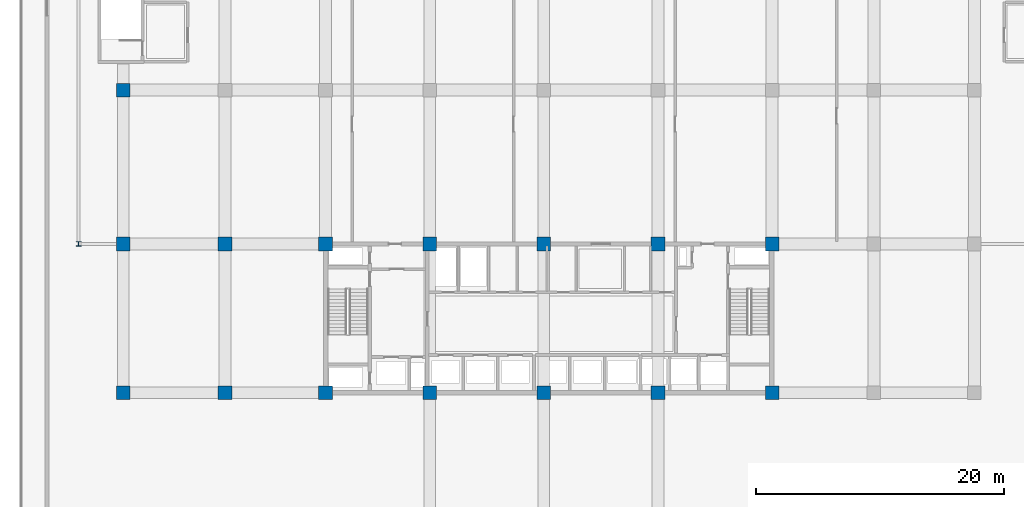
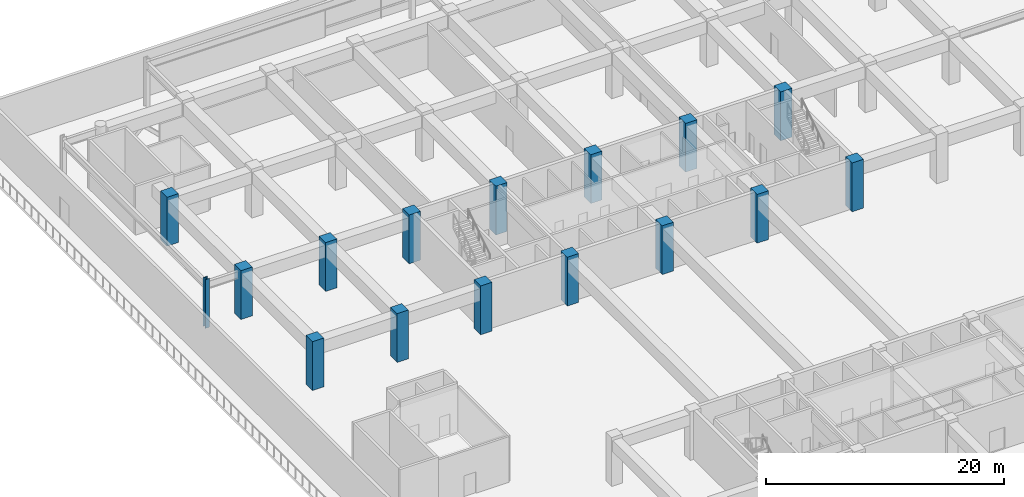
# One storey, part 4 of 38: 16 columns.
"""IFC4 building model written with IfcOpenShell, lengths in metres."""

from ifc_helpers import new_model, si_unit, direction, frame, origin, origin_2d, place, context, subcontext, project, spatial, rectangle, i_section, extrude, material, material_profile, profile_set, type_object, element, save


model = new_model("IFC4")

# Units and contexts
model_context = context("Model", 3, precision=1e-05, world=origin(), true_north=direction((0.0, 1.0)))
body_context = subcontext(model_context, "Body", "Model", "MODEL_VIEW")
ifc_project = project(units=[si_unit("LENGTHUNIT", "METRE"), si_unit("AREAUNIT", "SQUARE_METRE"), si_unit("VOLUMEUNIT", "CUBIC_METRE"), si_unit("PLANEANGLEUNIT", "RADIAN"), si_unit("MASSUNIT", "GRAM", prefix="KILO")], contexts=[model_context])

# Site, building, storey
site_placement = place(None, origin())
site = spatial("IfcSite", under=ifc_project, at=site_placement, CompositionType="ELEMENT")
building_placement = place(site_placement, origin())
building = spatial("IfcBuilding", under=site, at=building_placement, Name="Korimba Cascade Residences", CompositionType="ELEMENT")
storey_placement = place(building_placement, frame((0.0, 0.0, 19.0)))
storey = spatial("IfcBuildingStorey", under=building, at=storey_placement, Name="L04", CompositionType="ELEMENT", Elevation=19.0)

# Columns
ifc_material_1 = material(Name="Concrete C80/95", Category="concrete")
ifc_material_profile_1 = material_profile(ifc_material_1, rectangle(XDim=1.10009765625, YDim=1.10009765625, at=origin_2d()), Name="Concrete C80/95")
ifc_profile_set_1 = profile_set([ifc_material_profile_1], Name="Concrete C80/95")
column_type_1 = type_object("IfcColumnType", Name="COL-RC-1100", PredefinedType="COLUMN", material=ifc_profile_set_1)
for number, where, z_axis, x_axis, name in (
    (1, (59.800048828125, 55.199951171875, 0.0), (0.0, 0.0, 1.0), (1.0, 0.0, 0.0), "L04 Tower 1 Column 1.1"),
    (2, (59.800048828125, 67.199951171875, 0.0), (0.0, 0.0, 1.0), (1.0, 0.0, 0.0), "L04 Tower 1 Column 1.2"),
    (3, (59.800048828125, 79.60009765625, 0.0), (0.0, 0.0, 1.0), (1.0, 0.0, 0.0), "L04 Tower 1 Column 1.3"),
    (4, (68.0, 55.199951171875, 0.0), (0.0, 0.0, 1.0), (1.0, 0.0, 0.0), "L04 Tower 1 Column 2.1"),
    (5, (68.0, 67.199951171875, 0.0), (0.0, 0.0, 1.0), (1.0, 0.0, 0.0), "L04 Tower 1 Column 2.2"),
    (6, (76.10009765625, 55.199951171875, 0.0), (0.0, 0.0, 1.0), (1.0, 0.0, 0.0), "L04 Tower 1 Column 3.1"),
    (7, (76.10009765625, 67.199951171875, 0.0), (0.0, 0.0, 1.0), (1.0, 0.0, 0.0), "L04 Tower 1 Column 3.2"),
    (8, (84.5, 55.199951171875, 0.0), (0.0, 0.0, 1.0), (1.0, 0.0, 0.0), "L04 Tower 1 Column 4.1"),
    (9, (84.5, 67.199951171875, 0.0), (0.0, 0.0, 1.0), (1.0, 0.0, 0.0), "L04 Tower 1 Column 4.2"),
    (10, (93.699951171875, 55.199951171875, 0.0), (0.0, 0.0, 1.0), (1.0, 0.0, 0.0), "L04 Tower 1 Column 5.1"),
    (11, (93.699951171875, 67.199951171875, 0.0), (0.0, 0.0, 1.0), (1.0, 0.0, 0.0), "L04 Tower 1 Column 5.2"),
    (12, (102.89990234375, 55.199951171875, 0.0), (0.0, 0.0, 1.0), (1.0, 0.0, 0.0), "L04 Tower 1 Column 6.1"),
    (13, (102.89990234375, 67.199951171875, 0.0), (0.0, 0.0, 1.0), (1.0, 0.0, 0.0), "L04 Tower 1 Column 6.2"),
    (14, (112.10009765625, 55.199951171875, 0.0), (0.0, 0.0, 1.0), (1.0, 0.0, 0.0), "L04 Tower 1 Column 7.1"),
    (15, (112.10009765625, 67.199951171875, 0.0), (0.0, 0.0, 1.0), (1.0, 0.0, 0.0), "L04 Tower 1 Column 7.2"),
):
    element("IfcColumn", number, at=place(storey_placement, frame(where, z_axis=z_axis, x_axis=x_axis)), inside=storey, type_object=column_type_1, Name=name, PredefinedType="COLUMN", context=body_context, shape_type="SweptSolid", body=[
        extrude(rectangle(XDim=1.10009765625, YDim=1.10009765625, at=origin_2d()), origin(), (0.0, 0.0, 1.0), 5.0),
    ])
ifc_material_2 = material(Name="Steel S355", Category="steel")
ifc_material_profile_2 = material_profile(ifc_material_2, i_section(OverallWidth=0.39892578125, OverallDepth=0.3935546875, WebThickness=0.022705078125, FlangeThickness=0.03662109375, FilletRadius=0.01513671875, at=origin_2d()), Name="Steel S355")
ifc_profile_set_2 = profile_set([ifc_material_profile_2], Name="Steel S355")
column_type_2 = type_object("IfcColumnType", Name="COL-STL-UC287", PredefinedType="COLUMN", material=ifc_profile_set_2)
column_placement = place(storey_placement, frame((56.199951171875, 67.199951171875, 0.0), z_axis=(0.0, 0.0, 1.0), x_axis=(1.0, 0.0, 0.0)))
element("IfcColumn", 16, at=column_placement, inside=storey, type_object=column_type_2, Name="L04 Podium Column PCW3", PredefinedType="COLUMN", context=body_context, shape_type="SweptSolid", body=[
    extrude(i_section(OverallWidth=0.39892578125, OverallDepth=0.3935546875, WebThickness=0.022705078125, FlangeThickness=0.03662109375, FilletRadius=0.01513671875, at=origin_2d()), origin(), (0.0, 0.0, 1.0), 5.0),
])

save(model, "model.ifc")
